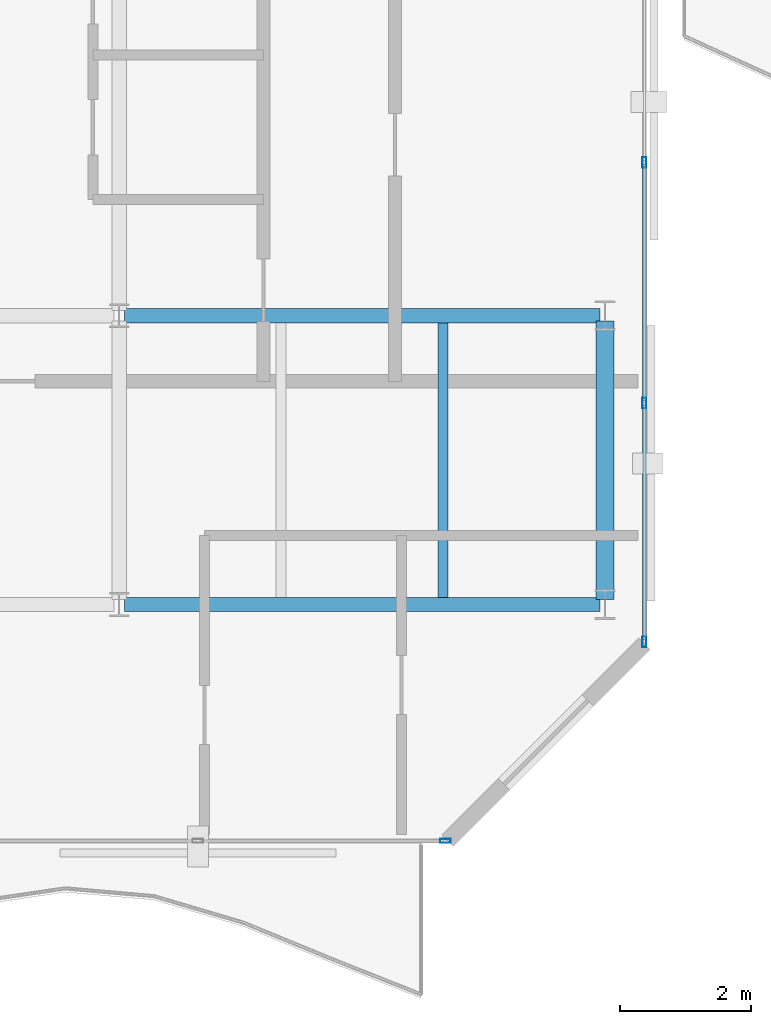
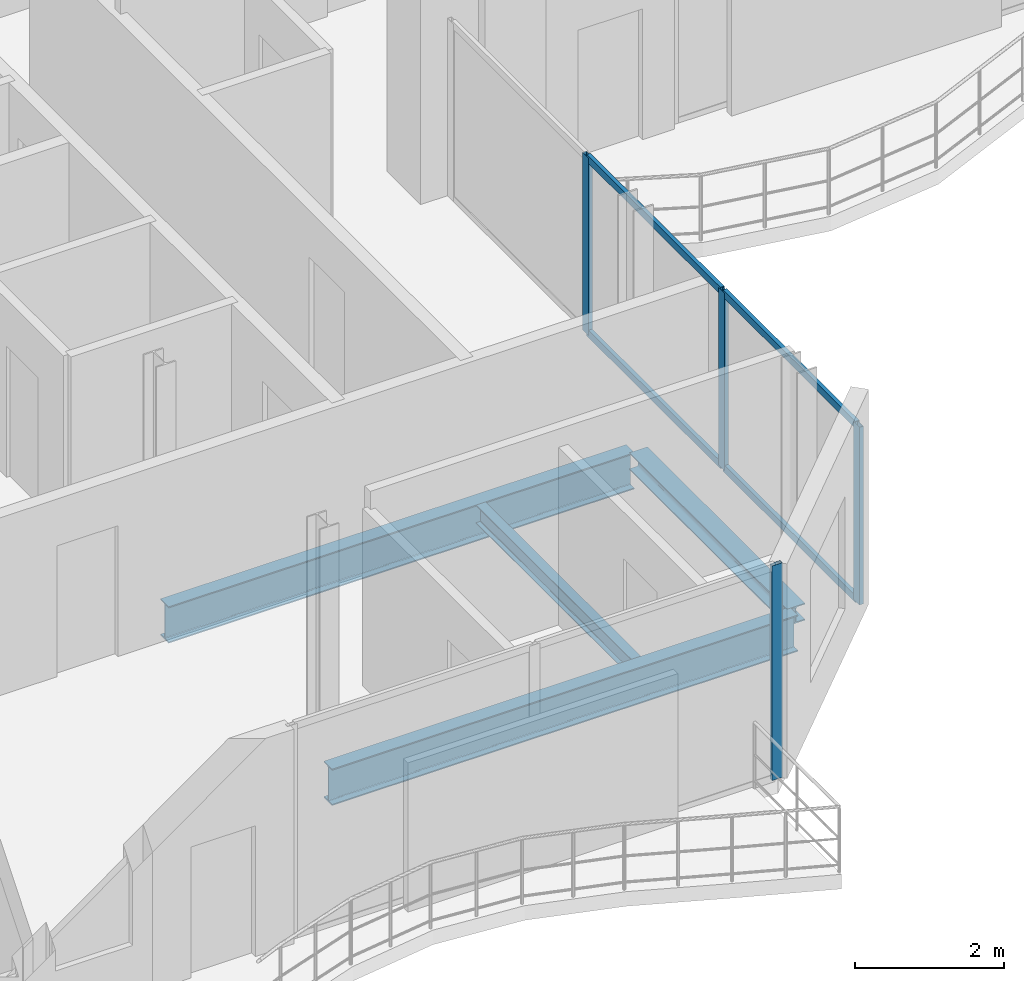
# One storey, part 7 of 24: 8 members, 4 beams, 2 elements without a shape of their own.
"""IFC4 building model written with IfcOpenShell, lengths in metres."""

from ifc_helpers import new_model, si_unit, direction, frame, origin, origin_2d, place, context, subcontext, project, spatial, hollow_rectangle, i_section, extrude, material, layer, layer_set, material_profile, profile_set, type_object, element, aggregate, save


model = new_model("IFC4")

# Units and contexts
model_context = context("Model", 3, precision=1e-05, world=origin(), true_north=direction((0.0, 1.0)))
body_context = subcontext(model_context, "Body", "Model", "MODEL_VIEW")
ifc_project = project(units=[si_unit("LENGTHUNIT", "METRE"), si_unit("AREAUNIT", "SQUARE_METRE"), si_unit("VOLUMEUNIT", "CUBIC_METRE"), si_unit("PLANEANGLEUNIT", "RADIAN"), si_unit("MASSUNIT", "GRAM", prefix="KILO")], contexts=[model_context])

# Site, building, storey
site_placement = place(None, origin())
site = spatial("IfcSite", under=ifc_project, at=site_placement, CompositionType="ELEMENT")
building_placement = place(site_placement, origin())
building = spatial("IfcBuilding", under=site, at=building_placement, Name="Catumbela Crestline Tower", CompositionType="ELEMENT")
storey_placement = place(building_placement, frame((0.0, 0.0, 237.4)))
storey = spatial("IfcBuildingStorey", under=building, at=storey_placement, Name="L61", CompositionType="ELEMENT", Elevation=237.4)

# Beams
ifc_material_1 = material(Name="Structural steel S355J2", Category="steel")
ifc_material_profile_1 = material_profile(ifc_material_1, i_section(OverallWidth=0.22, OverallDepth=0.6, WebThickness=0.012, FlangeThickness=0.019, FilletRadius=0.024, at=origin_2d()), Name="IPE 600")
ifc_profile_set_1 = profile_set([ifc_material_profile_1], Name="Structural steel S355J2")
beam_type_1 = type_object("IfcBeamType", Name="BG-IPE600", PredefinedType="BEAM", material=ifc_profile_set_1)
for number, where, z_axis, x_axis, name in (
    (1, (16.08, 13.6, -0.56), (1.0, 0.0, 0.0), (0.0, 1.0, 0.0), "L61 Beam BM-L61-WEW28"),
    (2, (16.08, 18.0, -0.56), (1.0, 0.0, 0.0), (0.0, 1.0, 0.0), "L61 Beam BM-L61-WEW30"),
):
    element("IfcBeam", number, at=place(storey_placement, frame(where, z_axis=z_axis, x_axis=x_axis)), inside=storey, type_object=beam_type_1, Name=name, PredefinedType="BEAM", context=body_context, shape_type="SweptSolid", body=[
        extrude(i_section(OverallWidth=0.22, OverallDepth=0.6, WebThickness=0.012, FlangeThickness=0.019, FilletRadius=0.024, at=origin_2d()), origin(), (0.0, 0.0, 1.0), 7.24),
    ])
ifc_material_profile_2 = material_profile(ifc_material_1, i_section(OverallWidth=0.15, OverallDepth=0.3, WebThickness=0.0071, FlangeThickness=0.0107, FilletRadius=0.015, at=origin_2d()), Name="IPE 300")
ifc_profile_set_2 = profile_set([ifc_material_profile_2], Name="Structural steel S355J2")
beam_type_2 = type_object("IfcBeamType", Name="BJ-IPE300", PredefinedType="JOIST", material=ifc_profile_set_2)
beam_1_placement = place(storey_placement, frame((20.933, 13.71, -0.41), z_axis=(0.0, 1.0, 0.0), x_axis=(-1.0, 0.0, 0.0)))
element("IfcBeam", 3, at=beam_1_placement, inside=storey, type_object=beam_type_2, Name="L61 Joist JS-L61-WG39", PredefinedType="JOIST", context=body_context, shape_type="SweptSolid", body=[
    extrude(i_section(OverallWidth=0.15, OverallDepth=0.3, WebThickness=0.0071, FlangeThickness=0.0107, FilletRadius=0.015, at=origin_2d()), origin(), (0.0, 0.0, 1.0), 4.18),
])

# Curtain wall, member
ifc_material_2 = material(Name="Aluminium alloy AW-6060-T66", Category="aluminium")
ifc_layer = layer(ifc_material_2, 0.18, Name="Aluminium alloy AW-6060-T66")
ifc_layer_set = layer_set([ifc_layer], Name="Aluminium alloy AW-6060-T66")
curtain_wall_type = type_object("IfcCurtainWallType", Name="CWU-Z4", PredefinedType="USERDEFINED", material=ifc_layer_set)
curtain_wall_1_placement = place(storey_placement, origin())
curtain_wall_1 = element("IfcCurtainWall", 4, at=curtain_wall_1_placement, inside=storey, type_object=curtain_wall_type, Name="L61 Unitised Curtain Wall CW-L61-E0S2", ObjectType="UNITISED", PredefinedType="USERDEFINED")
ifc_material_profile_3 = material_profile(ifc_material_2, hollow_rectangle(XDim=0.06, YDim=0.16, WallThickness=0.004, at=origin_2d()), Name="ALU 160x60x4")
ifc_profile_set_3 = profile_set([ifc_material_profile_3], Name="Aluminium alloy AW-6060-T66")
member_type_1 = type_object("IfcMemberType", Name="MUL-160X60", PredefinedType="MULLION", material=ifc_profile_set_3)
member_1_placement = place(storey_placement, frame((20.9675, 10.0, 0.0), z_axis=(0.0, 0.0, 1.0), x_axis=(0.0, 1.0, 0.0)))
member_1 = element("IfcMember", 5, at=member_1_placement, type_object=member_type_1, Name="CWU-Z4 mullion 3", PredefinedType="MULLION", context=body_context, shape_type="SweptSolid", body=[
    extrude(hollow_rectangle(XDim=0.06, YDim=0.16, WallThickness=0.004, at=origin_2d()), origin(), (0.0, 0.0, 1.0), 3.53),
])
aggregate(curtain_wall_1, [member_1])

# Curtain wall, members
curtain_wall_2_placement = place(storey_placement, origin())
curtain_wall_2 = element("IfcCurtainWall", 6, at=curtain_wall_2_placement, inside=storey, type_object=curtain_wall_type, Name="L61 Unitised Curtain Wall CW-L61-E2S1", ObjectType="UNITISED", PredefinedType="USERDEFINED")
member_2_placement = place(storey_placement, frame((24.0, 13.0325, 0.0), z_axis=(0.0, 0.0, 1.0), x_axis=(-1.0, 0.0, 0.0)))
member_2 = element("IfcMember", 7, at=member_2_placement, type_object=member_type_1, Name="CWU-Z4 mullion 1", PredefinedType="MULLION", context=body_context, shape_type="SweptSolid", body=[
    extrude(hollow_rectangle(XDim=0.06, YDim=0.16, WallThickness=0.004, at=origin_2d()), origin(), (0.0, 0.0, 1.0), 2.92),
])
member_3_placement = place(storey_placement, frame((24.0, 16.6667, 0.0), z_axis=(0.0, 0.0, 1.0), x_axis=(-1.0, 0.0, 0.0)))
member_3 = element("IfcMember", 8, at=member_3_placement, type_object=member_type_1, Name="CWU-Z4 mullion 2", PredefinedType="MULLION", context=body_context, shape_type="SweptSolid", body=[
    extrude(hollow_rectangle(XDim=0.06, YDim=0.16, WallThickness=0.004, at=origin_2d()), origin(), (0.0, 0.0, 1.0), 2.92),
])
member_4_placement = place(storey_placement, frame((24.0, 20.3333, 0.0), z_axis=(0.0, 0.0, 1.0), x_axis=(-1.0, 0.0, 0.0)))
member_4 = element("IfcMember", 9, at=member_4_placement, type_object=member_type_1, Name="CWU-Z4 mullion 3", PredefinedType="MULLION", context=body_context, shape_type="SweptSolid", body=[
    extrude(hollow_rectangle(XDim=0.06, YDim=0.16, WallThickness=0.004, at=origin_2d()), origin(), (0.0, 0.0, 1.0), 2.92),
])

# Beam
ifc_material_profile_4 = material_profile(ifc_material_1, i_section(OverallWidth=0.28, OverallDepth=0.28, WebThickness=0.0105, FlangeThickness=0.018, FilletRadius=0.024, at=origin_2d()), Name="HEB 280")
ifc_profile_set_4 = profile_set([ifc_material_profile_4], Name="Structural steel S355J2")
beam_type_3 = type_object("IfcBeamType", Name="BS-HEB280", PredefinedType="SPANDREL", material=ifc_profile_set_4)
beam_2_placement = place(storey_placement, frame((23.4, 13.68, -0.4), z_axis=(0.0, 1.0, 0.0), x_axis=(-1.0, 0.0, 0.0)))
element("IfcBeam", 10, at=beam_2_placement, inside=storey, type_object=beam_type_3, Name="L61 Spandrel SP-L61-WNS35", PredefinedType="SPANDREL", context=body_context, shape_type="SweptSolid", body=[
    extrude(i_section(OverallWidth=0.28, OverallDepth=0.28, WebThickness=0.0105, FlangeThickness=0.018, FilletRadius=0.024, at=origin_2d()), origin(), (0.0, 0.0, 1.0), 4.24),
])

# Member
ifc_material_profile_5 = material_profile(ifc_material_2, hollow_rectangle(XDim=0.06, YDim=0.12, WallThickness=0.0035, at=origin_2d()), Name="ALU 120x60x3.5")
ifc_profile_set_5 = profile_set([ifc_material_profile_5], Name="Aluminium alloy AW-6060-T66")
member_type_2 = type_object("IfcMemberType", Name="TRN-120X60", PredefinedType="USERDEFINED", material=ifc_profile_set_5)
member_5_placement = place(storey_placement, frame((24.0, 13.065, 0.03), z_axis=(0.0, 1.0, 0.0), x_axis=(-1.0, 0.0, 0.0)))
member_5 = element("IfcMember", 11, at=member_5_placement, type_object=member_type_2, Name="CWU-Z4 transom 1.1", ObjectType="TRANSOM", PredefinedType="USERDEFINED", context=body_context, shape_type="SweptSolid", body=[
    extrude(hollow_rectangle(XDim=0.06, YDim=0.12, WallThickness=0.0035, at=origin_2d()), origin(), (0.0, 0.0, 1.0), 3.5692),
])

member_6_placement = place(storey_placement, frame((24.0, 13.065, 2.89), z_axis=(0.0, 1.0, 0.0), x_axis=(-1.0, 0.0, 0.0)))
member_6 = element("IfcMember", 12, at=member_6_placement, type_object=member_type_2, Name="CWU-Z4 transom 1.2", ObjectType="TRANSOM", PredefinedType="USERDEFINED", context=body_context, shape_type="SweptSolid", body=[
    extrude(hollow_rectangle(XDim=0.06, YDim=0.12, WallThickness=0.0035, at=origin_2d()), origin(), (0.0, 0.0, 1.0), 3.5692),
])

member_7_placement = place(storey_placement, frame((24.0, 16.6992, 0.03), z_axis=(0.0, 1.0, 0.0), x_axis=(-1.0, 0.0, 0.0)))
member_7 = element("IfcMember", 13, at=member_7_placement, type_object=member_type_2, Name="CWU-Z4 transom 2.1", ObjectType="TRANSOM", PredefinedType="USERDEFINED", context=body_context, shape_type="SweptSolid", body=[
    extrude(hollow_rectangle(XDim=0.06, YDim=0.12, WallThickness=0.0035, at=origin_2d()), origin(), (0.0, 0.0, 1.0), 3.6016),
])

member_8_placement = place(storey_placement, frame((24.0, 16.6992, 2.89), z_axis=(0.0, 1.0, 0.0), x_axis=(-1.0, 0.0, 0.0)))
member_8 = element("IfcMember", 14, at=member_8_placement, type_object=member_type_2, Name="CWU-Z4 transom 2.2", ObjectType="TRANSOM", PredefinedType="USERDEFINED", context=body_context, shape_type="SweptSolid", body=[
    extrude(hollow_rectangle(XDim=0.06, YDim=0.12, WallThickness=0.0035, at=origin_2d()), origin(), (0.0, 0.0, 1.0), 3.6016),
])

aggregate(curtain_wall_2, [member_2, member_3, member_4, member_5, member_6, member_7, member_8])

save(model, "model.ifc")
